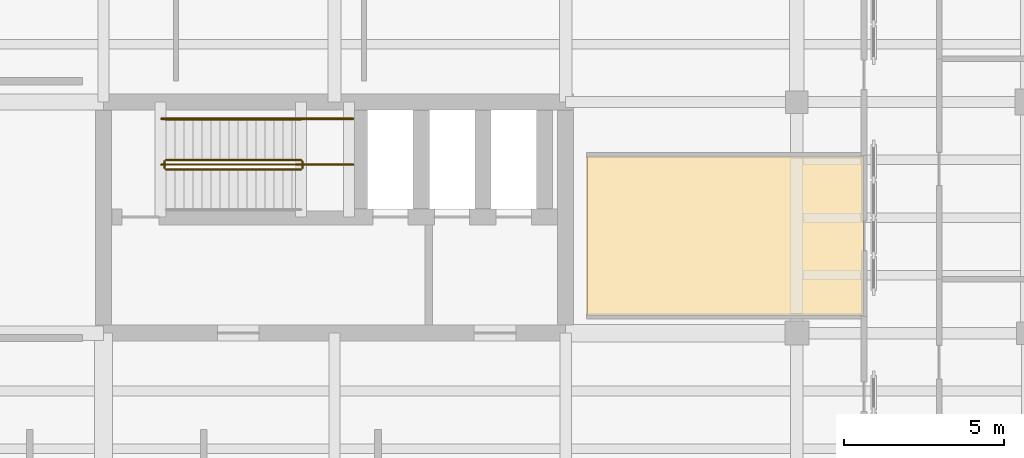
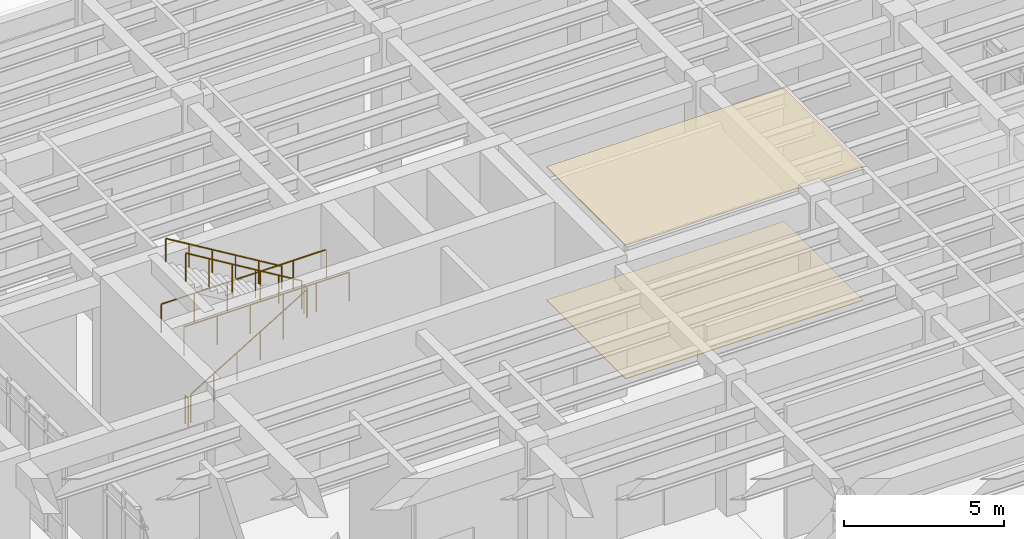
# One storey, part 99 of 100: 7 railings, 2 coverings.
"""IFC4 building model written with IfcOpenShell, lengths in metres."""

from ifc_helpers import new_model, si_unit, direction, frame, origin, origin_2d, place, context, subcontext, project, spatial, polyline, circle, outline, extrude, material, layer, layer_set, type_object, element, save


model = new_model("IFC4")

# Units and contexts
model_context = context("Model", 3, precision=1e-05, world=origin(), true_north=direction((0.0, 1.0)))
body_context = subcontext(model_context, "Body", "Model", "MODEL_VIEW")
ifc_project = project(units=[si_unit("LENGTHUNIT", "METRE"), si_unit("AREAUNIT", "SQUARE_METRE"), si_unit("VOLUMEUNIT", "CUBIC_METRE"), si_unit("PLANEANGLEUNIT", "RADIAN"), si_unit("MASSUNIT", "GRAM", prefix="KILO")], contexts=[model_context])

# Site, building, storey
site_placement = place(None, origin())
site = spatial("IfcSite", under=ifc_project, at=site_placement, CompositionType="ELEMENT")
building_placement = place(site_placement, origin())
building = spatial("IfcBuilding", under=site, at=building_placement, Name="Mithqara Police Headquarters", CompositionType="ELEMENT")
storey_placement = place(building_placement, origin())
storey = spatial("IfcBuildingStorey", under=building, at=storey_placement, Name="L00", CompositionType="ELEMENT", Elevation=0.0)

# Covering
ifc_material_1 = material(Name="Acoustic mineral-fibre ceiling tile", Category="gypsum")
ifc_layer_1 = layer(ifc_material_1, 0.02490234375, Name="Acoustic mineral-fibre ceiling tile")
ifc_layer_set_1 = layer_set([ifc_layer_1], Name="Acoustic mineral-fibre ceiling tile")
covering_type_1 = type_object("IfcCoveringType", Name="ACOUSTIC CEILING TILE", PredefinedType="CEILING", material=ifc_layer_set_1)
covering_1_placement = place(storey_placement, frame((0.0, 0.0, 5.094970703125)))
element("IfcCovering", 1, at=covering_1_placement, inside=storey, type_object=covering_type_1, Name="Male Staff WC Acoustic Ceiling", PredefinedType="CEILING", context=body_context, shape_type="SweptSolid", body=[
    extrude(outline(polyline([(145.27001953125, 93.547119140625), (153.875, 93.547119140625), (153.875, 98.52001953125), (145.27001953125, 98.52001953125), (145.27001953125, 93.547119140625)])), origin(), (0.0, 0.0, 1.0), 0.025146484375),
])

# Railings
ifc_material_2 = material(Name="Steel S355JR", Category="steel")
railing_type_1 = type_object("IfcRailingType", Name="HANDRAIL 920", PredefinedType="HANDRAIL", material=ifc_material_2)
railing_1_placement = place(storey_placement, frame((136.35009765625, 99.64990234375, 2.86865234375)))
element("IfcRailing", 2, at=railing_1_placement, inside=storey, type_object=railing_type_1, Name="L00 ST-02 stair handrail 2", PredefinedType="HANDRAIL", context=body_context, shape_type="SweptSolid", body=[
    extrude(circle(Radius=0.02392578125, at=origin_2d()), frame((0.0, 0.0, 0.8759765625), z_axis=(-0.856489757249, 0.0, 0.516164020179), x_axis=(0.0, -1.0, 0.0)), (0.0, 0.0, 1.0), 4.904052734375),
    extrude(circle(Radius=0.02099609375, at=origin_2d()), origin(), (0.0, 0.0, 1.0), 0.851806640625),
    extrude(circle(Radius=0.02099609375, at=origin_2d()), frame((-0.840087890625, 0.0, 0.50634765625)), (0.0, 0.0, 1.0), 0.851806640625),
    extrude(circle(Radius=0.02099609375, at=origin_2d()), frame((-1.68017578125, 0.0, 1.012451171875)), (0.0, 0.0, 1.0), 0.851806640625),
    extrude(circle(Radius=0.02099609375, at=origin_2d()), frame((-2.52001953125, 0.0, 1.518798828125)), (0.0, 0.0, 1.0), 0.851806640625),
    extrude(circle(Radius=0.02099609375, at=origin_2d()), frame((-3.360107421875, 0.0, 2.02490234375)), (0.0, 0.0, 1.0), 0.851806640625),
    extrude(circle(Radius=0.02099609375, at=origin_2d()), frame((-4.2001953125, 0.0, 2.53125)), (0.0, 0.0, 1.0), 0.851806640625),
])
railing_type_2 = type_object("IfcRailingType", Name="STAIR GUARD 1120", PredefinedType="GUARDRAIL", material=ifc_material_2)
railing_2_placement = place(storey_placement, frame((132.14990234375, 98.10009765625, 0.168701171875)))
element("IfcRailing", 3, at=railing_2_placement, inside=storey, type_object=railing_type_2, Name="L00 ST-02 stair guard 1", PredefinedType="GUARDRAIL", context=body_context, shape_type="SweptSolid", body=[
    extrude(circle(Radius=0.02392578125, at=origin_2d()), frame((0.0, 0.0, 1.076171875), z_axis=(0.856489757249, 0.0, 0.516164020179), x_axis=(0.0, 1.0, 0.0)), (0.0, 0.0, 1.0), 4.904052734375),
    extrude(circle(Radius=0.02099609375, at=origin_2d()), origin(), (0.0, 0.0, 1.0), 1.052001953125),
    extrude(circle(Radius=0.02099609375, at=origin_2d()), frame((0.840087890625, 0.0, 0.50634765625)), (0.0, 0.0, 1.0), 1.052001953125),
    extrude(circle(Radius=0.02099609375, at=origin_2d()), frame((1.68017578125, 0.0, 1.012451171875)), (0.0, 0.0, 1.0), 1.052001953125),
    extrude(circle(Radius=0.02099609375, at=origin_2d()), frame((2.52001953125, 0.0, 1.518798828125)), (0.0, 0.0, 1.0), 1.052001953125),
    extrude(circle(Radius=0.02099609375, at=origin_2d()), frame((3.360107421875, 0.0, 2.02490234375)), (0.0, 0.0, 1.0), 1.052001953125),
    extrude(circle(Radius=0.02099609375, at=origin_2d()), frame((4.2001953125, 0.0, 2.53125)), (0.0, 0.0, 1.0), 1.052001953125),
])
railing_3_placement = place(storey_placement, frame((136.39990234375, 98.14990234375, 2.699951171875)))
element("IfcRailing", 4, at=railing_3_placement, inside=storey, type_object=railing_type_2, Name="L00 ST-02 stair guard 2", PredefinedType="GUARDRAIL", context=body_context, shape_type="SweptSolid", body=[
    extrude(circle(Radius=0.02392578125, at=origin_2d()), frame((0.0, 0.0, 1.076171875), z_axis=(0.0, 1.0, 0.0), x_axis=(-1.0, 0.0, 0.0)), (0.0, 0.0, 1.0), 0.2001953125),
    extrude(circle(Radius=0.02099609375, at=origin_2d()), origin(), (0.0, 0.0, 1.0), 1.052001953125),
    extrude(circle(Radius=0.02099609375, at=origin_2d()), frame((0.0, 0.2001953125, 0.0)), (0.0, 0.0, 1.0), 1.052001953125),
])
railing_4_placement = place(storey_placement, frame((136.35009765625, 98.39990234375, 2.86865234375)))
element("IfcRailing", 5, at=railing_4_placement, inside=storey, type_object=railing_type_2, Name="L00 ST-02 stair guard 3", PredefinedType="GUARDRAIL", context=body_context, shape_type="SweptSolid", body=[
    extrude(circle(Radius=0.02392578125, at=origin_2d()), frame((0.0, 0.0, 1.076171875), z_axis=(-0.856489757249, 0.0, 0.516164020179), x_axis=(0.0, -1.0, 0.0)), (0.0, 0.0, 1.0), 4.904052734375),
    extrude(circle(Radius=0.02099609375, at=origin_2d()), origin(), (0.0, 0.0, 1.0), 1.052001953125),
    extrude(circle(Radius=0.02099609375, at=origin_2d()), frame((-0.840087890625, 0.0, 0.50634765625)), (0.0, 0.0, 1.0), 1.052001953125),
    extrude(circle(Radius=0.02099609375, at=origin_2d()), frame((-1.68017578125, 0.0, 1.012451171875)), (0.0, 0.0, 1.0), 1.052001953125),
    extrude(circle(Radius=0.02099609375, at=origin_2d()), frame((-2.52001953125, 0.0, 1.518798828125)), (0.0, 0.0, 1.0), 1.052001953125),
    extrude(circle(Radius=0.02099609375, at=origin_2d()), frame((-3.360107421875, 0.0, 2.02490234375)), (0.0, 0.0, 1.0), 1.052001953125),
    extrude(circle(Radius=0.02099609375, at=origin_2d()), frame((-4.2001953125, 0.0, 2.53125)), (0.0, 0.0, 1.0), 1.052001953125),
])
railing_5_placement = place(storey_placement, frame((132.10009765625, 98.14990234375, 0.0)))
element("IfcRailing", 6, at=railing_5_placement, inside=storey, type_object=railing_type_2, Name="L00 ST-02 stair guard 4", PredefinedType="GUARDRAIL", context=body_context, shape_type="SweptSolid", body=[
    extrude(circle(Radius=0.02392578125, at=origin_2d()), frame((0.0, 0.0, 1.076171875), z_axis=(0.0, 1.0, 0.0), x_axis=(-1.0, 0.0, 0.0)), (0.0, 0.0, 1.0), 0.2001953125),
    extrude(circle(Radius=0.02099609375, at=origin_2d()), origin(), (0.0, 0.0, 1.0), 1.052001953125),
    extrude(circle(Radius=0.02099609375, at=origin_2d()), frame((0.0, 0.2001953125, 0.0)), (0.0, 0.0, 1.0), 1.052001953125),
])
for number, where, name in (
    (7, (132.0, 98.25, 2.699951171875), "L00 ST-02 Half-Landing Guard IN"),
    (8, (132.0, 99.679931640625, 2.699951171875), "L00 ST-02 Half-Landing Guard OUT"),
):
    element("IfcRailing", number, at=place(storey_placement, frame(where)), inside=storey, type_object=railing_type_2, Name=name, PredefinedType="GUARDRAIL", context=body_context, shape_type="SweptSolid", body=[
        extrude(circle(Radius=0.02392578125, at=origin_2d()), frame((0.0, 0.0, 1.09619140625), z_axis=(1.0, 0.0, 0.0), x_axis=(0.0, 1.0, 0.0)), (0.0, 0.0, 1.0), 5.97998046875),
        extrude(circle(Radius=0.02099609375, at=origin_2d()), origin(), (0.0, 0.0, 1.0), 1.072021484375),
        extrude(circle(Radius=0.02099609375, at=origin_2d()), frame((1.196044921875, 0.0, 0.0)), (0.0, 0.0, 1.0), 1.072021484375),
        extrude(circle(Radius=0.02099609375, at=origin_2d()), frame((2.39208984375, 0.0, 0.0)), (0.0, 0.0, 1.0), 1.072021484375),
        extrude(circle(Radius=0.02099609375, at=origin_2d()), frame((3.587890625, 0.0, 0.0)), (0.0, 0.0, 1.0), 1.072021484375),
        extrude(circle(Radius=0.02099609375, at=origin_2d()), frame((4.783935546875, 0.0, 0.0)), (0.0, 0.0, 1.0), 1.072021484375),
        extrude(circle(Radius=0.02099609375, at=origin_2d()), frame((5.97998046875, 0.0, 0.0)), (0.0, 0.0, 1.0), 1.072021484375),
    ])

# Covering
ifc_material_3 = material(Name="Polished limestone terrazzo flooring", Category="masonry")
ifc_layer_2 = layer(ifc_material_3, 0.02001953125, Name="Polished limestone terrazzo flooring")
ifc_layer_set_2 = layer_set([ifc_layer_2], Name="Polished limestone terrazzo flooring")
covering_type_2 = type_object("IfcCoveringType", Name="TERRAZZO FLOOR FINISH", PredefinedType="FLOORING", material=ifc_layer_set_2)
covering_2_placement = place(storey_placement, origin())
element("IfcCovering", 9, at=covering_2_placement, inside=storey, type_object=covering_type_2, Name="Male Staff WC Terrazzo Floor Finish", PredefinedType="FLOORING", context=body_context, shape_type="SweptSolid", body=[
    extrude(outline(polyline([(145.27001953125, 93.547119140625), (153.875, 93.547119140625), (153.875, 98.52001953125), (145.27001953125, 98.52001953125), (145.27001953125, 93.547119140625)])), origin(), (0.0, 0.0, 1.0), 0.02001953125),
])

save(model, "model.ifc")
